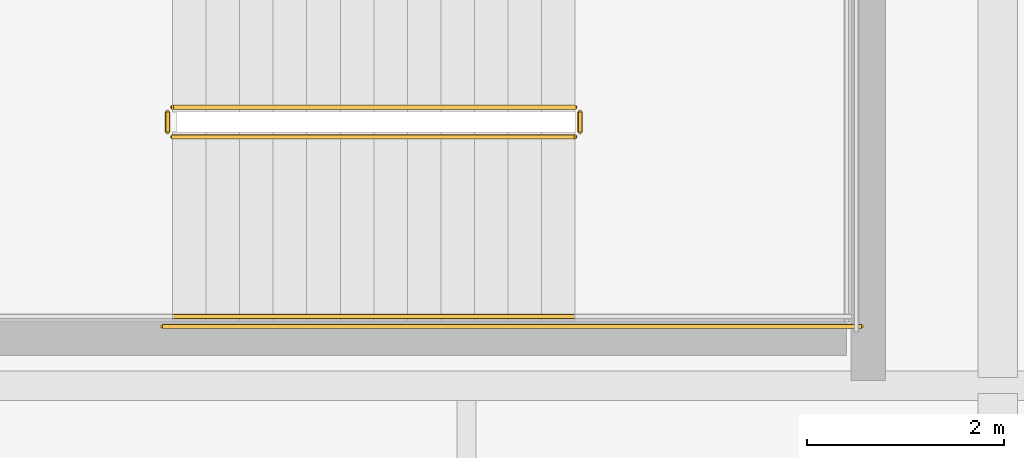
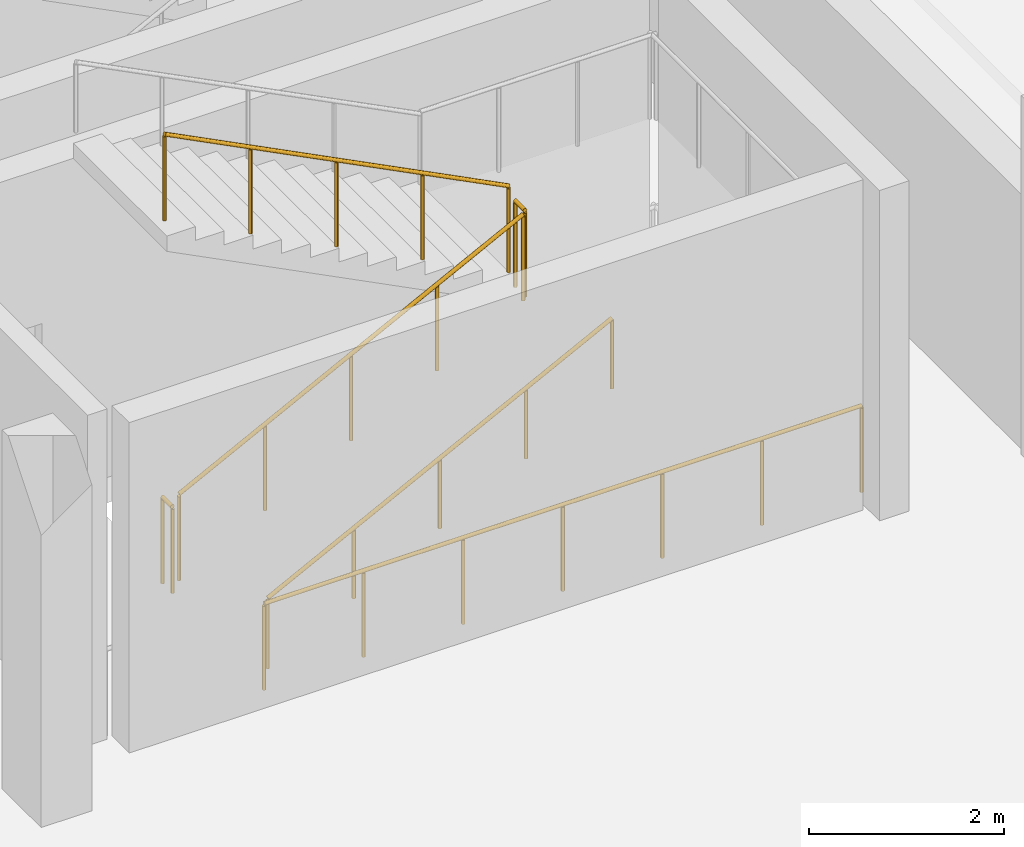
# One storey, part 111 of 118: 6 railings.
"""IFC4 building model written with IfcOpenShell, lengths in metres."""

from ifc_helpers import new_model, si_unit, direction, frame, origin, origin_2d, place, context, subcontext, project, spatial, circle, extrude, material, type_object, element, save


model = new_model("IFC4")

# Units and contexts
model_context = context("Model", 3, precision=1e-05, world=origin(), true_north=direction((0.0, 1.0)))
body_context = subcontext(model_context, "Body", "Model", "MODEL_VIEW")
ifc_project = project(units=[si_unit("LENGTHUNIT", "METRE"), si_unit("AREAUNIT", "SQUARE_METRE"), si_unit("VOLUMEUNIT", "CUBIC_METRE"), si_unit("PLANEANGLEUNIT", "RADIAN"), si_unit("MASSUNIT", "GRAM", prefix="KILO")], contexts=[model_context])

# Site, building, storey
site_placement = place(None, origin())
site = spatial("IfcSite", under=ifc_project, at=site_placement, CompositionType="ELEMENT")
building_placement = place(site_placement, origin())
building = spatial("IfcBuilding", under=site, at=building_placement, Name="Luwafu Chhajja Arena", CompositionType="ELEMENT")
storey_placement = place(building_placement, frame((0.0, 0.0, 10.199951171875)))
storey = spatial("IfcBuildingStorey", under=building, at=storey_placement, Name="L02", CompositionType="ELEMENT", Elevation=10.199951171875)

# Railings
ifc_material_1 = material(Name="Stainless steel handrail", Category="steel")
railing_type_1 = type_object("IfcRailingType", Name="Stair Pitch Wall Handrail 920", PredefinedType="HANDRAIL", material=ifc_material_1)
railing_1_placement = place(storey_placement, frame((155.02001953125, 44.699951171875, 0.173095703125)))
element("IfcRailing", 1, at=railing_1_placement, inside=storey, type_object=railing_type_1, Name="L02 ST-11 stair handrail 1", PredefinedType="HANDRAIL", context=body_context, shape_type="SweptSolid", body=[
    extrude(circle(Radius=0.02392578125, at=origin_2d()), frame((0.0, 0.0, 0.8759765625), z_axis=(0.891183106714, 0.0, 0.453643770274), x_axis=(0.0, 1.0, 0.0)), (0.0, 0.0, 1.0), 4.578369140625),
    extrude(circle(Radius=0.02099609375, at=origin_2d()), origin(), (0.0, 0.0, 1.0), 0.851806640625),
    extrude(circle(Radius=0.02099609375, at=origin_2d()), frame((1.02001953125, 0.0, 0.519287109375)), (0.0, 0.0, 1.0), 0.851806640625),
    extrude(circle(Radius=0.02099609375, at=origin_2d()), frame((2.0400390625, 0.0, 1.03857421875)), (0.0, 0.0, 1.0), 0.851806640625),
    extrude(circle(Radius=0.02099609375, at=origin_2d()), frame((3.06005859375, 0.0, 1.5576171875)), (0.0, 0.0, 1.0), 0.851806640625),
    extrude(circle(Radius=0.02099609375, at=origin_2d()), frame((4.080078125, 0.0, 2.076904296875)), (0.0, 0.0, 1.0), 0.851806640625),
])
ifc_material_2 = material(Name="Stainless steel balustrade", Category="steel")
railing_type_2 = type_object("IfcRailingType", Name="Stair and Terrace Guard Balustrade 1100", PredefinedType="BALUSTRADE", material=ifc_material_2)
railing_2_placement = place(storey_placement, frame((155.02001953125, 46.52001953125, 0.173095703125)))
element("IfcRailing", 2, at=railing_2_placement, inside=storey, type_object=railing_type_2, Name="L02 ST-11 stair guard 1", PredefinedType="BALUSTRADE", context=body_context, shape_type="SweptSolid", body=[
    extrude(circle(Radius=0.02392578125, at=origin_2d()), frame((0.0, 0.0, 1.076171875), z_axis=(0.891183106714, 0.0, 0.453643770274), x_axis=(0.0, 1.0, 0.0)), (0.0, 0.0, 1.0), 4.578369140625),
    extrude(circle(Radius=0.02099609375, at=origin_2d()), origin(), (0.0, 0.0, 1.0), 1.052001953125),
    extrude(circle(Radius=0.02099609375, at=origin_2d()), frame((1.02001953125, 0.0, 0.519287109375)), (0.0, 0.0, 1.0), 1.052001953125),
    extrude(circle(Radius=0.02099609375, at=origin_2d()), frame((2.0400390625, 0.0, 1.03857421875)), (0.0, 0.0, 1.0), 1.052001953125),
    extrude(circle(Radius=0.02099609375, at=origin_2d()), frame((3.06005859375, 0.0, 1.5576171875)), (0.0, 0.0, 1.0), 1.052001953125),
    extrude(circle(Radius=0.02099609375, at=origin_2d()), frame((4.080078125, 0.0, 2.076904296875)), (0.0, 0.0, 1.0), 1.052001953125),
])
railing_3_placement = place(storey_placement, frame((159.14990234375, 46.570068359375, 2.25)))
element("IfcRailing", 3, at=railing_3_placement, inside=storey, type_object=railing_type_2, Name="L02 ST-11 stair guard 2", PredefinedType="BALUSTRADE", context=body_context, shape_type="SweptSolid", body=[
    extrude(circle(Radius=0.02392578125, at=origin_2d()), frame((0.0, 0.0, 1.076171875), z_axis=(0.0, 1.0, 0.0), x_axis=(-1.0, 0.0, 0.0)), (0.0, 0.0, 1.0), 0.199951171875),
    extrude(circle(Radius=0.02099609375, at=origin_2d()), origin(), (0.0, 0.0, 1.0), 1.052001953125),
    extrude(circle(Radius=0.02099609375, at=origin_2d()), frame((0.0, 0.199951171875, 0.0)), (0.0, 0.0, 1.0), 1.052001953125),
])
railing_4_placement = place(storey_placement, frame((159.10009765625, 46.820068359375, 2.423095703125)))
element("IfcRailing", 4, at=railing_4_placement, inside=storey, type_object=railing_type_2, Name="L02 ST-11 stair guard 6", PredefinedType="BALUSTRADE", context=body_context, shape_type="SweptSolid", body=[
    extrude(circle(Radius=0.02392578125, at=origin_2d()), frame((0.0, 0.0, 1.076171875), z_axis=(-0.891183106714, 0.0, 0.453643770274), x_axis=(0.0, -1.0, 0.0)), (0.0, 0.0, 1.0), 4.578369140625),
    extrude(circle(Radius=0.02099609375, at=origin_2d()), origin(), (0.0, 0.0, 1.0), 1.052001953125),
    extrude(circle(Radius=0.02099609375, at=origin_2d()), frame((-1.02001953125, 0.0, 0.519287109375)), (0.0, 0.0, 1.0), 1.052001953125),
    extrude(circle(Radius=0.02099609375, at=origin_2d()), frame((-2.0400390625, 0.0, 1.03857421875)), (0.0, 0.0, 1.0), 1.052001953125),
    extrude(circle(Radius=0.02099609375, at=origin_2d()), frame((-3.06005859375, 0.0, 1.5576171875)), (0.0, 0.0, 1.0), 1.052001953125),
    extrude(circle(Radius=0.02099609375, at=origin_2d()), frame((-4.080078125, 0.0, 2.076904296875)), (0.0, 0.0, 1.0), 1.052001953125),
])
railing_5_placement = place(storey_placement, frame((154.969970703125, 46.570068359375, 0.0)))
element("IfcRailing", 5, at=railing_5_placement, inside=storey, type_object=railing_type_2, Name="L02 ST-11 stair guard 7", PredefinedType="BALUSTRADE", context=body_context, shape_type="SweptSolid", body=[
    extrude(circle(Radius=0.02392578125, at=origin_2d()), frame((0.0, 0.0, 1.076171875), z_axis=(0.0, 1.0, 0.0), x_axis=(-1.0, 0.0, 0.0)), (0.0, 0.0, 1.0), 0.199951171875),
    extrude(circle(Radius=0.02099609375, at=origin_2d()), origin(), (0.0, 0.0, 1.0), 1.052001953125),
    extrude(circle(Radius=0.02099609375, at=origin_2d()), frame((0.0, 0.199951171875, 0.0)), (0.0, 0.0, 1.0), 1.052001953125),
])
railing_6_placement = place(storey_placement, frame((154.919921875, 44.60009765625, 0.0)))
element("IfcRailing", 6, at=railing_6_placement, inside=storey, type_object=railing_type_2, Name="L02 ST-11 stair guard 10", PredefinedType="BALUSTRADE", context=body_context, shape_type="SweptSolid", body=[
    extrude(circle(Radius=0.02392578125, at=origin_2d()), frame((0.0, 0.0, 1.076171875), z_axis=(1.0, 0.0, 0.0), x_axis=(0.0, 1.0, 0.0)), (0.0, 0.0, 1.0), 7.080078125),
    extrude(circle(Radius=0.02099609375, at=origin_2d()), origin(), (0.0, 0.0, 1.0), 1.052001953125),
    extrude(circle(Radius=0.02099609375, at=origin_2d()), frame((1.179931640625, 0.0, 0.0)), (0.0, 0.0, 1.0), 1.052001953125),
    extrude(circle(Radius=0.02099609375, at=origin_2d()), frame((2.360107421875, 0.0, 0.0)), (0.0, 0.0, 1.0), 1.052001953125),
    extrude(circle(Radius=0.02099609375, at=origin_2d()), frame((3.5400390625, 0.0, 0.0)), (0.0, 0.0, 1.0), 1.052001953125),
    extrude(circle(Radius=0.02099609375, at=origin_2d()), frame((4.719970703125, 0.0, 0.0)), (0.0, 0.0, 1.0), 1.052001953125),
    extrude(circle(Radius=0.02099609375, at=origin_2d()), frame((5.900146484375, 0.0, 0.0)), (0.0, 0.0, 1.0), 1.052001953125),
    extrude(circle(Radius=0.02099609375, at=origin_2d()), frame((7.080078125, 0.0, 0.0)), (0.0, 0.0, 1.0), 1.052001953125),
])

save(model, "model.ifc")
